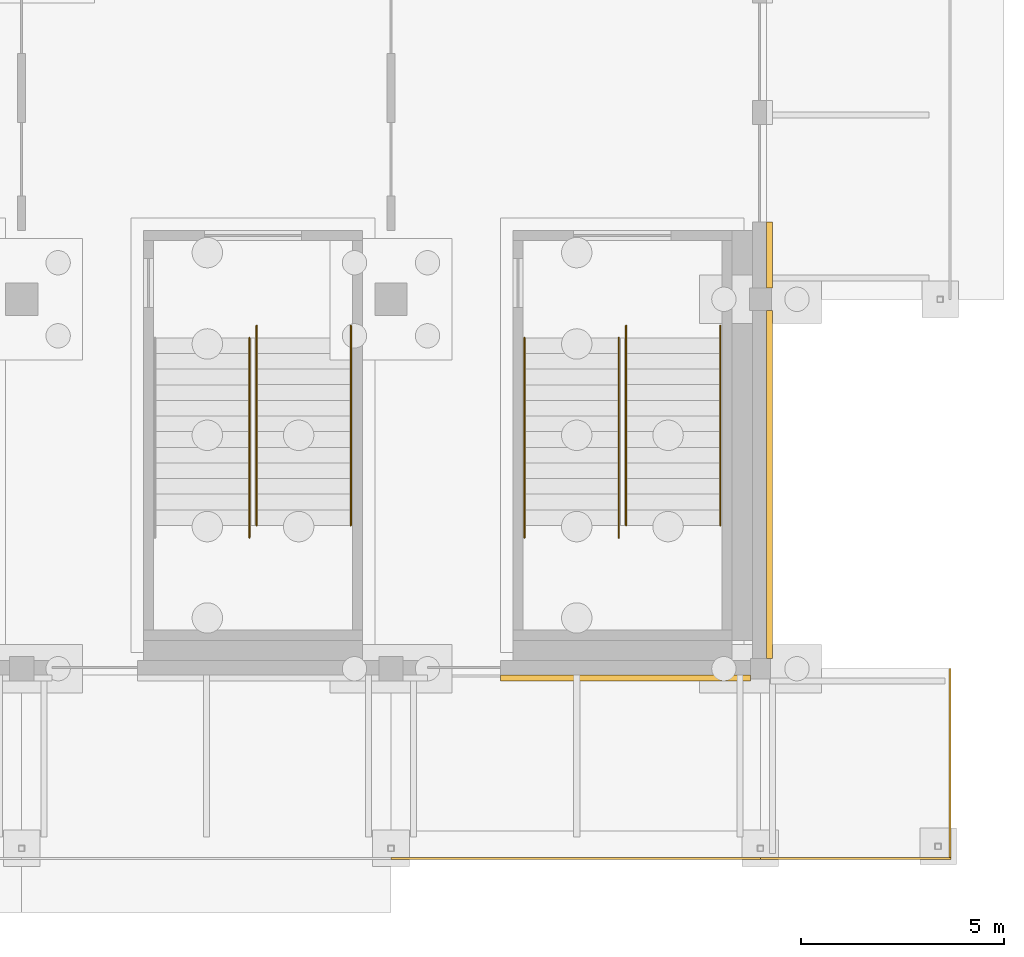
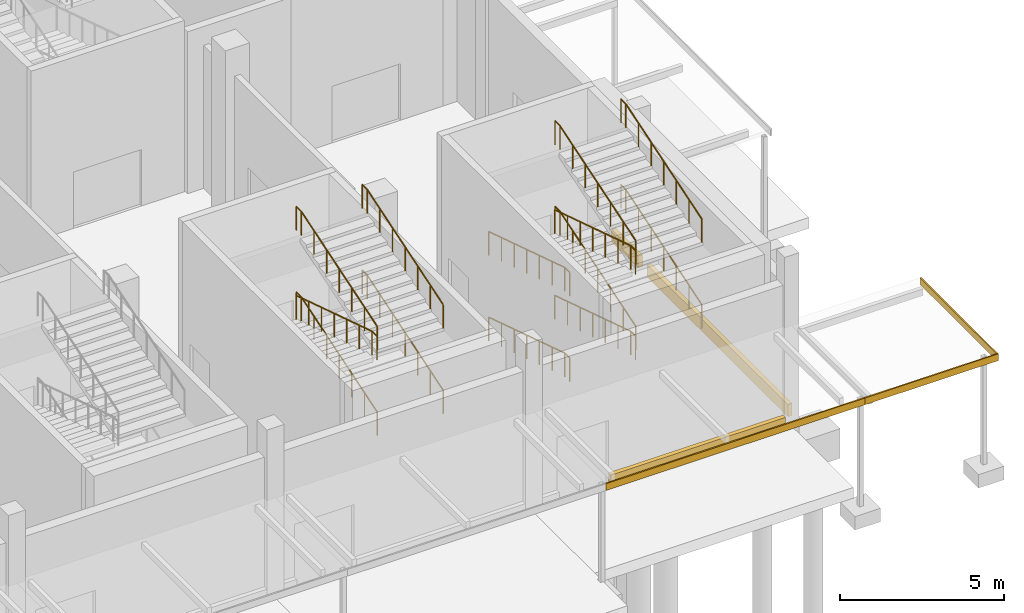
# One storey, part 117 of 129: 13 railings, 6 coverings.
"""IFC4 building model written with IfcOpenShell, lengths in metres."""

from ifc_helpers import new_model, si_unit, direction, frame, origin, origin_2d, place, context, subcontext, project, spatial, rectangle, circle, extrude, material, layer, layer_set, type_object, element, save


model = new_model("IFC4")

# Units and contexts
model_context = context("Model", 3, precision=1e-05, world=origin(), true_north=direction((0.0, 1.0)))
body_context = subcontext(model_context, "Body", "Model", "MODEL_VIEW")
ifc_project = project(units=[si_unit("LENGTHUNIT", "METRE"), si_unit("AREAUNIT", "SQUARE_METRE"), si_unit("VOLUMEUNIT", "CUBIC_METRE"), si_unit("PLANEANGLEUNIT", "RADIAN"), si_unit("MASSUNIT", "GRAM", prefix="KILO")], contexts=[model_context])

# Site, building, storey
site_placement = place(None, origin())
site = spatial("IfcSite", under=ifc_project, at=site_placement, CompositionType="ELEMENT")
building_placement = place(site_placement, origin())
building = spatial("IfcBuilding", under=site, at=building_placement, Name="Shirokan Park Arena", CompositionType="ELEMENT")
storey_placement = place(building_placement, origin())
storey = spatial("IfcBuildingStorey", under=building, at=storey_placement, Name="L00", CompositionType="ELEMENT", Elevation=0.0)

# Coverings
ifc_material_1 = material(Name="Timber fascia (cedar)", Category="wood")
ifc_layer_1 = layer(ifc_material_1, 0.050048828125)
ifc_layer_set_1 = layer_set([ifc_layer_1], Name="Timber fascia (cedar) 50 mm")
covering_type_1 = type_object("IfcCoveringType", Name="Canopy fascia 50x250", PredefinedType="CLADDING", material=ifc_layer_set_1)
covering_1_placement = place(storey_placement, frame((141.050048828125, -4.675048828125, 3.5), z_axis=(0.0, 0.0, 1.0), x_axis=(1.0, 0.0, 0.0)))
element("IfcCovering", 1, at=covering_1_placement, inside=storey, type_object=covering_type_1, Name="Canopy fascia south bay 16", PredefinedType="CLADDING", context=body_context, shape_type="SweptSolid", body=[
    extrude(rectangle(XDim=9.10009765625, YDim=0.050048828125, at=origin_2d()), origin(), (0.0, 0.0, 1.0), 0.25),
])
covering_2_placement = place(storey_placement, frame((147.949951171875, -4.675048828125, 3.5), z_axis=(0.0, 0.0, 1.0), x_axis=(1.0, 0.0, 0.0)))
element("IfcCovering", 2, at=covering_2_placement, inside=storey, type_object=covering_type_1, Name="Canopy fascia SE corner 1", PredefinedType="CLADDING", context=body_context, shape_type="SweptSolid", body=[
    extrude(rectangle(XDim=4.699951171875, YDim=0.050048828125, at=origin_2d()), origin(), (0.0, 0.0, 1.0), 0.25),
])
covering_3_placement = place(storey_placement, frame((150.27490234375, -2.324951171875, 3.5), z_axis=(0.0, 0.0, 1.0), x_axis=(1.0, 0.0, 0.0)))
element("IfcCovering", 3, at=covering_3_placement, inside=storey, type_object=covering_type_1, Name="Canopy fascia SE corner 2", PredefinedType="CLADDING", context=body_context, shape_type="SweptSolid", body=[
    extrude(rectangle(XDim=0.050048828125, YDim=4.64990234375, at=origin_2d()), origin(), (0.0, 0.0, 1.0), 0.25),
])

# Railings
ifc_material_2 = material(Name="Stainless steel", Category="steel")
railing_type = type_object("IfcRailingType", Name="Stair handrail 900", PredefinedType="HANDRAIL", material=ifc_material_2)
railing_1_placement = place(storey_placement, frame((139.7900390625, 8.14990234375, 0.12255859375)))
element("IfcRailing", 4, at=railing_1_placement, inside=storey, type_object=railing_type, Name="Handrail Exit Stair 2.A L00 to L01", PredefinedType="HANDRAIL", context=body_context, shape_type="SweptSolid", body=[
    extrude(circle(Radius=0.02392578125, at=origin_2d()), frame((0.0, 0.0, 0.8759765625), z_axis=(0.0, -0.952915858112, 0.303234838629), x_axis=(1.0, 0.0, 0.0)), (0.0, 0.0, 1.0), 1.615966796875),
    extrude(circle(Radius=0.02392578125, at=origin_2d()), frame((0.0, -1.539794921875, 1.36572265625), z_axis=(0.0, -0.952929747917, 0.303191186441), x_axis=(1.0, 0.0, 0.0)), (0.0, 0.0, 1.0), 1.6162109375),
    extrude(circle(Radius=0.02392578125, at=origin_2d()), frame((0.0, -3.079833984375, 1.85595703125), z_axis=(0.0, -0.952929747917, 0.303191186441), x_axis=(1.0, 0.0, 0.0)), (0.0, 0.0, 1.0), 1.6162109375),
    extrude(circle(Radius=0.02392578125, at=origin_2d()), frame((0.0, -4.619873046875, 2.345703125), z_axis=(0.0, -1.0, 0.0), x_axis=(1.0, 0.0, 0.0)), (0.0, 0.0, 1.0), 0.300048828125),
    extrude(circle(Radius=0.02099609375, at=origin_2d()), origin(), (0.0, 0.0, 1.0), 0.851806640625),
    extrude(circle(Radius=0.02099609375, at=origin_2d()), frame((0.0, -0.77001953125, 0.2451171875)), (0.0, 0.0, 1.0), 0.851806640625),
    extrude(circle(Radius=0.02099609375, at=origin_2d()), frame((0.0, -1.539794921875, 0.489990234375)), (0.0, 0.0, 1.0), 0.851806640625),
    extrude(circle(Radius=0.02099609375, at=origin_2d()), frame((0.0, -2.309814453125, 0.73486328125)), (0.0, 0.0, 1.0), 0.851806640625),
    extrude(circle(Radius=0.02099609375, at=origin_2d()), frame((0.0, -3.079833984375, 0.97998046875)), (0.0, 0.0, 1.0), 0.851806640625),
    extrude(circle(Radius=0.02099609375, at=origin_2d()), frame((0.0, -3.849853515625, 1.22509765625)), (0.0, 0.0, 1.0), 0.851806640625),
    extrude(circle(Radius=0.02099609375, at=origin_2d()), frame((0.0, -4.619873046875, 1.469970703125)), (0.0, 0.0, 1.0), 0.851806640625),
    extrude(circle(Radius=0.02099609375, at=origin_2d()), frame((0.0, -4.919921875, 1.469970703125)), (0.0, 0.0, 1.0), 0.851806640625),
])
railing_2_placement = place(storey_placement, frame((142.110107421875, 8.14990234375, 0.12255859375)))
element("IfcRailing", 5, at=railing_2_placement, inside=storey, type_object=railing_type, Name="Handrail Exit Stair 2.A L00 to L01", PredefinedType="HANDRAIL", context=body_context, shape_type="SweptSolid", body=[
    extrude(circle(Radius=0.02392578125, at=origin_2d()), frame((0.0, 0.0, 0.8759765625), z_axis=(0.0, -0.952915858112, 0.303234838629), x_axis=(1.0, 0.0, 0.0)), (0.0, 0.0, 1.0), 1.615966796875),
    extrude(circle(Radius=0.02392578125, at=origin_2d()), frame((0.0, -1.539794921875, 1.36572265625), z_axis=(0.0, -0.952929747917, 0.303191186441), x_axis=(1.0, 0.0, 0.0)), (0.0, 0.0, 1.0), 1.6162109375),
    extrude(circle(Radius=0.02392578125, at=origin_2d()), frame((0.0, -3.079833984375, 1.85595703125), z_axis=(0.0, -0.952929747917, 0.303191186441), x_axis=(1.0, 0.0, 0.0)), (0.0, 0.0, 1.0), 1.6162109375),
    extrude(circle(Radius=0.02392578125, at=origin_2d()), frame((0.0, -4.619873046875, 2.345703125), z_axis=(0.0, -1.0, 0.0), x_axis=(1.0, 0.0, 0.0)), (0.0, 0.0, 1.0), 0.300048828125),
    extrude(circle(Radius=0.02099609375, at=origin_2d()), origin(), (0.0, 0.0, 1.0), 0.851806640625),
    extrude(circle(Radius=0.02099609375, at=origin_2d()), frame((0.0, -0.77001953125, 0.2451171875)), (0.0, 0.0, 1.0), 0.851806640625),
    extrude(circle(Radius=0.02099609375, at=origin_2d()), frame((0.0, -1.539794921875, 0.489990234375)), (0.0, 0.0, 1.0), 0.851806640625),
    extrude(circle(Radius=0.02099609375, at=origin_2d()), frame((0.0, -2.309814453125, 0.73486328125)), (0.0, 0.0, 1.0), 0.851806640625),
    extrude(circle(Radius=0.02099609375, at=origin_2d()), frame((0.0, -3.079833984375, 0.97998046875)), (0.0, 0.0, 1.0), 0.851806640625),
    extrude(circle(Radius=0.02099609375, at=origin_2d()), frame((0.0, -3.849853515625, 1.22509765625)), (0.0, 0.0, 1.0), 0.851806640625),
    extrude(circle(Radius=0.02099609375, at=origin_2d()), frame((0.0, -4.619873046875, 1.469970703125)), (0.0, 0.0, 1.0), 0.851806640625),
    extrude(circle(Radius=0.02099609375, at=origin_2d()), frame((0.0, -4.919921875, 1.469970703125)), (0.0, 0.0, 1.0), 0.851806640625),
])
railing_3_placement = place(storey_placement, frame((142.2900390625, 3.530029296875, 1.715087890625)))
element("IfcRailing", 6, at=railing_3_placement, inside=storey, type_object=railing_type, Name="Handrail Exit Stair 2.A L00 to L01", PredefinedType="HANDRAIL", context=body_context, shape_type="SweptSolid", body=[
    extrude(circle(Radius=0.02392578125, at=origin_2d()), frame((0.0, 0.0, 0.8759765625), z_axis=(0.0, 0.952929747917, 0.303191186441), x_axis=(-1.0, 0.0, 0.0)), (0.0, 0.0, 1.0), 1.6162109375),
    extrude(circle(Radius=0.02392578125, at=origin_2d()), frame((0.0, 1.5400390625, 1.36572265625), z_axis=(0.0, 0.952929747917, 0.303191186441), x_axis=(-1.0, 0.0, 0.0)), (0.0, 0.0, 1.0), 1.6162109375),
    extrude(circle(Radius=0.02392578125, at=origin_2d()), frame((0.0, 3.080078125, 1.85595703125), z_axis=(0.0, 0.952915858112, 0.303234838629), x_axis=(-1.0, 0.0, 0.0)), (0.0, 0.0, 1.0), 1.615966796875),
    extrude(circle(Radius=0.02392578125, at=origin_2d()), frame((0.0, 4.619873046875, 2.345703125), z_axis=(0.0, 1.0, 0.0), x_axis=(-1.0, 0.0, 0.0)), (0.0, 0.0, 1.0), 0.300048828125),
    extrude(circle(Radius=0.02099609375, at=origin_2d()), origin(), (0.0, 0.0, 1.0), 0.851806640625),
    extrude(circle(Radius=0.02099609375, at=origin_2d()), frame((0.0, 0.77001953125, 0.2451171875)), (0.0, 0.0, 1.0), 0.851806640625),
    extrude(circle(Radius=0.02099609375, at=origin_2d()), frame((0.0, 1.5400390625, 0.489990234375)), (0.0, 0.0, 1.0), 0.851806640625),
    extrude(circle(Radius=0.02099609375, at=origin_2d()), frame((0.0, 2.31005859375, 0.73486328125)), (0.0, 0.0, 1.0), 0.851806640625),
    extrude(circle(Radius=0.02099609375, at=origin_2d()), frame((0.0, 3.080078125, 0.97998046875)), (0.0, 0.0, 1.0), 0.851806640625),
    extrude(circle(Radius=0.02099609375, at=origin_2d()), frame((0.0, 3.85009765625, 1.22509765625)), (0.0, 0.0, 1.0), 0.851806640625),
    extrude(circle(Radius=0.02099609375, at=origin_2d()), frame((0.0, 4.619873046875, 1.469970703125)), (0.0, 0.0, 1.0), 0.851806640625),
    extrude(circle(Radius=0.02099609375, at=origin_2d()), frame((0.0, 4.919921875, 1.469970703125)), (0.0, 0.0, 1.0), 0.851806640625),
])
railing_4_placement = place(storey_placement, frame((144.610107421875, 3.530029296875, 1.715087890625)))
element("IfcRailing", 7, at=railing_4_placement, inside=storey, type_object=railing_type, Name="Handrail Exit Stair 2.A L00 to L01", PredefinedType="HANDRAIL", context=body_context, shape_type="SweptSolid", body=[
    extrude(circle(Radius=0.02392578125, at=origin_2d()), frame((0.0, 0.0, 0.8759765625), z_axis=(0.0, 0.952929747917, 0.303191186441), x_axis=(-1.0, 0.0, 0.0)), (0.0, 0.0, 1.0), 1.6162109375),
    extrude(circle(Radius=0.02392578125, at=origin_2d()), frame((0.0, 1.5400390625, 1.36572265625), z_axis=(0.0, 0.952929747917, 0.303191186441), x_axis=(-1.0, 0.0, 0.0)), (0.0, 0.0, 1.0), 1.6162109375),
    extrude(circle(Radius=0.02392578125, at=origin_2d()), frame((0.0, 3.080078125, 1.85595703125), z_axis=(0.0, 0.952915858112, 0.303234838629), x_axis=(-1.0, 0.0, 0.0)), (0.0, 0.0, 1.0), 1.615966796875),
    extrude(circle(Radius=0.02392578125, at=origin_2d()), frame((0.0, 4.619873046875, 2.345703125), z_axis=(0.0, 1.0, 0.0), x_axis=(-1.0, 0.0, 0.0)), (0.0, 0.0, 1.0), 0.300048828125),
    extrude(circle(Radius=0.02099609375, at=origin_2d()), origin(), (0.0, 0.0, 1.0), 0.851806640625),
    extrude(circle(Radius=0.02099609375, at=origin_2d()), frame((0.0, 0.77001953125, 0.2451171875)), (0.0, 0.0, 1.0), 0.851806640625),
    extrude(circle(Radius=0.02099609375, at=origin_2d()), frame((0.0, 1.5400390625, 0.489990234375)), (0.0, 0.0, 1.0), 0.851806640625),
    extrude(circle(Radius=0.02099609375, at=origin_2d()), frame((0.0, 2.31005859375, 0.73486328125)), (0.0, 0.0, 1.0), 0.851806640625),
    extrude(circle(Radius=0.02099609375, at=origin_2d()), frame((0.0, 3.080078125, 0.97998046875)), (0.0, 0.0, 1.0), 0.851806640625),
    extrude(circle(Radius=0.02099609375, at=origin_2d()), frame((0.0, 3.85009765625, 1.22509765625)), (0.0, 0.0, 1.0), 0.851806640625),
    extrude(circle(Radius=0.02099609375, at=origin_2d()), frame((0.0, 4.619873046875, 1.469970703125)), (0.0, 0.0, 1.0), 0.851806640625),
    extrude(circle(Radius=0.02099609375, at=origin_2d()), frame((0.0, 4.919921875, 1.469970703125)), (0.0, 0.0, 1.0), 0.851806640625),
])
railing_5_placement = place(storey_placement, frame((139.7900390625, 8.14990234375, 3.3076171875)))
element("IfcRailing", 8, at=railing_5_placement, inside=storey, type_object=railing_type, Name="Handrail Exit Stair 2.A L00 to L01", PredefinedType="HANDRAIL", context=body_context, shape_type="SweptSolid", body=[
    extrude(circle(Radius=0.02392578125, at=origin_2d()), frame((0.0, 0.0, 0.8759765625), z_axis=(0.0, -0.952915858112, 0.303234838629), x_axis=(1.0, 0.0, 0.0)), (0.0, 0.0, 1.0), 1.615966796875),
    extrude(circle(Radius=0.02392578125, at=origin_2d()), frame((0.0, -1.539794921875, 1.36572265625), z_axis=(0.0, -0.952929747917, 0.303191186441), x_axis=(1.0, 0.0, 0.0)), (0.0, 0.0, 1.0), 1.6162109375),
    extrude(circle(Radius=0.02392578125, at=origin_2d()), frame((0.0, -3.079833984375, 1.85595703125), z_axis=(0.0, -0.952929747917, 0.303191186441), x_axis=(1.0, 0.0, 0.0)), (0.0, 0.0, 1.0), 1.6162109375),
    extrude(circle(Radius=0.02392578125, at=origin_2d()), frame((0.0, -4.619873046875, 2.345703125), z_axis=(0.0, -1.0, 0.0), x_axis=(1.0, 0.0, 0.0)), (0.0, 0.0, 1.0), 0.300048828125),
    extrude(circle(Radius=0.02099609375, at=origin_2d()), origin(), (0.0, 0.0, 1.0), 0.851806640625),
    extrude(circle(Radius=0.02099609375, at=origin_2d()), frame((0.0, -0.77001953125, 0.2451171875)), (0.0, 0.0, 1.0), 0.851806640625),
    extrude(circle(Radius=0.02099609375, at=origin_2d()), frame((0.0, -1.539794921875, 0.489990234375)), (0.0, 0.0, 1.0), 0.851806640625),
    extrude(circle(Radius=0.02099609375, at=origin_2d()), frame((0.0, -2.309814453125, 0.73486328125)), (0.0, 0.0, 1.0), 0.851806640625),
    extrude(circle(Radius=0.02099609375, at=origin_2d()), frame((0.0, -3.079833984375, 0.97998046875)), (0.0, 0.0, 1.0), 0.851806640625),
    extrude(circle(Radius=0.02099609375, at=origin_2d()), frame((0.0, -3.849853515625, 1.22509765625)), (0.0, 0.0, 1.0), 0.851806640625),
    extrude(circle(Radius=0.02099609375, at=origin_2d()), frame((0.0, -4.619873046875, 1.469970703125)), (0.0, 0.0, 1.0), 0.851806640625),
    extrude(circle(Radius=0.02099609375, at=origin_2d()), frame((0.0, -4.919921875, 1.469970703125)), (0.0, 0.0, 1.0), 0.851806640625),
])
railing_6_placement = place(storey_placement, frame((142.110107421875, 8.14990234375, 3.3076171875)))
element("IfcRailing", 9, at=railing_6_placement, inside=storey, type_object=railing_type, Name="Handrail Exit Stair 2.A L00 to L01", PredefinedType="HANDRAIL", context=body_context, shape_type="SweptSolid", body=[
    extrude(circle(Radius=0.02392578125, at=origin_2d()), frame((0.0, 0.0, 0.8759765625), z_axis=(0.0, -0.952915858112, 0.303234838629), x_axis=(1.0, 0.0, 0.0)), (0.0, 0.0, 1.0), 1.615966796875),
    extrude(circle(Radius=0.02392578125, at=origin_2d()), frame((0.0, -1.539794921875, 1.36572265625), z_axis=(0.0, -0.952929747917, 0.303191186441), x_axis=(1.0, 0.0, 0.0)), (0.0, 0.0, 1.0), 1.6162109375),
    extrude(circle(Radius=0.02392578125, at=origin_2d()), frame((0.0, -3.079833984375, 1.85595703125), z_axis=(0.0, -0.952929747917, 0.303191186441), x_axis=(1.0, 0.0, 0.0)), (0.0, 0.0, 1.0), 1.6162109375),
    extrude(circle(Radius=0.02392578125, at=origin_2d()), frame((0.0, -4.619873046875, 2.345703125), z_axis=(0.0, -1.0, 0.0), x_axis=(1.0, 0.0, 0.0)), (0.0, 0.0, 1.0), 0.300048828125),
    extrude(circle(Radius=0.02099609375, at=origin_2d()), origin(), (0.0, 0.0, 1.0), 0.851806640625),
    extrude(circle(Radius=0.02099609375, at=origin_2d()), frame((0.0, -0.77001953125, 0.2451171875)), (0.0, 0.0, 1.0), 0.851806640625),
    extrude(circle(Radius=0.02099609375, at=origin_2d()), frame((0.0, -1.539794921875, 0.489990234375)), (0.0, 0.0, 1.0), 0.851806640625),
    extrude(circle(Radius=0.02099609375, at=origin_2d()), frame((0.0, -2.309814453125, 0.73486328125)), (0.0, 0.0, 1.0), 0.851806640625),
    extrude(circle(Radius=0.02099609375, at=origin_2d()), frame((0.0, -3.079833984375, 0.97998046875)), (0.0, 0.0, 1.0), 0.851806640625),
    extrude(circle(Radius=0.02099609375, at=origin_2d()), frame((0.0, -3.849853515625, 1.22509765625)), (0.0, 0.0, 1.0), 0.851806640625),
    extrude(circle(Radius=0.02099609375, at=origin_2d()), frame((0.0, -4.619873046875, 1.469970703125)), (0.0, 0.0, 1.0), 0.851806640625),
    extrude(circle(Radius=0.02099609375, at=origin_2d()), frame((0.0, -4.919921875, 1.469970703125)), (0.0, 0.0, 1.0), 0.851806640625),
])
railing_7_placement = place(storey_placement, frame((142.2900390625, 3.530029296875, 4.89990234375)))
element("IfcRailing", 10, at=railing_7_placement, inside=storey, type_object=railing_type, Name="Handrail Exit Stair 2.A L00 to L01", PredefinedType="HANDRAIL", context=body_context, shape_type="SweptSolid", body=[
    extrude(circle(Radius=0.02392578125, at=origin_2d()), frame((0.0, 0.0, 0.8759765625), z_axis=(0.0, 0.952929747917, 0.303191186441), x_axis=(-1.0, 0.0, 0.0)), (0.0, 0.0, 1.0), 1.6162109375),
    extrude(circle(Radius=0.02392578125, at=origin_2d()), frame((0.0, 1.5400390625, 1.36572265625), z_axis=(0.0, 0.952929747917, 0.303191186441), x_axis=(-1.0, 0.0, 0.0)), (0.0, 0.0, 1.0), 1.6162109375),
    extrude(circle(Radius=0.02392578125, at=origin_2d()), frame((0.0, 3.080078125, 1.85595703125), z_axis=(0.0, 0.952872192083, 0.303372025004), x_axis=(-1.0, 0.0, 0.0)), (0.0, 0.0, 1.0), 1.615966796875),
    extrude(circle(Radius=0.02392578125, at=origin_2d()), frame((0.0, 4.619873046875, 2.34619140625), z_axis=(0.0, 1.0, 0.0), x_axis=(-1.0, 0.0, 0.0)), (0.0, 0.0, 1.0), 0.300048828125),
    extrude(circle(Radius=0.02099609375, at=origin_2d()), origin(), (0.0, 0.0, 1.0), 0.851806640625),
    extrude(circle(Radius=0.02099609375, at=origin_2d()), frame((0.0, 0.77001953125, 0.2451171875)), (0.0, 0.0, 1.0), 0.851806640625),
    extrude(circle(Radius=0.02099609375, at=origin_2d()), frame((0.0, 1.5400390625, 0.489990234375)), (0.0, 0.0, 1.0), 0.851806640625),
    extrude(circle(Radius=0.02099609375, at=origin_2d()), frame((0.0, 2.31005859375, 0.73486328125)), (0.0, 0.0, 1.0), 0.851806640625),
    extrude(circle(Radius=0.02099609375, at=origin_2d()), frame((0.0, 3.080078125, 0.97998046875)), (0.0, 0.0, 1.0), 0.851806640625),
    extrude(circle(Radius=0.02099609375, at=origin_2d()), frame((0.0, 3.85009765625, 1.22509765625)), (0.0, 0.0, 1.0), 0.851806640625),
    extrude(circle(Radius=0.02099609375, at=origin_2d()), frame((0.0, 4.619873046875, 1.47021484375)), (0.0, 0.0, 1.0), 0.851806640625),
    extrude(circle(Radius=0.02099609375, at=origin_2d()), frame((0.0, 4.919921875, 1.47021484375)), (0.0, 0.0, 1.0), 0.851806640625),
])
railing_8_placement = place(storey_placement, frame((144.610107421875, 3.530029296875, 4.89990234375)))
element("IfcRailing", 11, at=railing_8_placement, inside=storey, type_object=railing_type, Name="Handrail Exit Stair 2.A L00 to L01", PredefinedType="HANDRAIL", context=body_context, shape_type="SweptSolid", body=[
    extrude(circle(Radius=0.02392578125, at=origin_2d()), frame((0.0, 0.0, 0.8759765625), z_axis=(0.0, 0.952929747917, 0.303191186441), x_axis=(-1.0, 0.0, 0.0)), (0.0, 0.0, 1.0), 1.6162109375),
    extrude(circle(Radius=0.02392578125, at=origin_2d()), frame((0.0, 1.5400390625, 1.36572265625), z_axis=(0.0, 0.952929747917, 0.303191186441), x_axis=(-1.0, 0.0, 0.0)), (0.0, 0.0, 1.0), 1.6162109375),
    extrude(circle(Radius=0.02392578125, at=origin_2d()), frame((0.0, 3.080078125, 1.85595703125), z_axis=(0.0, 0.952872192083, 0.303372025004), x_axis=(-1.0, 0.0, 0.0)), (0.0, 0.0, 1.0), 1.615966796875),
    extrude(circle(Radius=0.02392578125, at=origin_2d()), frame((0.0, 4.619873046875, 2.34619140625), z_axis=(0.0, 1.0, 0.0), x_axis=(-1.0, 0.0, 0.0)), (0.0, 0.0, 1.0), 0.300048828125),
    extrude(circle(Radius=0.02099609375, at=origin_2d()), origin(), (0.0, 0.0, 1.0), 0.851806640625),
    extrude(circle(Radius=0.02099609375, at=origin_2d()), frame((0.0, 0.77001953125, 0.2451171875)), (0.0, 0.0, 1.0), 0.851806640625),
    extrude(circle(Radius=0.02099609375, at=origin_2d()), frame((0.0, 1.5400390625, 0.489990234375)), (0.0, 0.0, 1.0), 0.851806640625),
    extrude(circle(Radius=0.02099609375, at=origin_2d()), frame((0.0, 2.31005859375, 0.73486328125)), (0.0, 0.0, 1.0), 0.851806640625),
    extrude(circle(Radius=0.02099609375, at=origin_2d()), frame((0.0, 3.080078125, 0.97998046875)), (0.0, 0.0, 1.0), 0.851806640625),
    extrude(circle(Radius=0.02099609375, at=origin_2d()), frame((0.0, 3.85009765625, 1.22509765625)), (0.0, 0.0, 1.0), 0.851806640625),
    extrude(circle(Radius=0.02099609375, at=origin_2d()), frame((0.0, 4.619873046875, 1.47021484375)), (0.0, 0.0, 1.0), 0.851806640625),
    extrude(circle(Radius=0.02099609375, at=origin_2d()), frame((0.0, 4.919921875, 1.47021484375)), (0.0, 0.0, 1.0), 0.851806640625),
])
railing_9_placement = place(storey_placement, frame((133.18994140625, 3.530029296875, 1.715087890625)))
element("IfcRailing", 12, at=railing_9_placement, inside=storey, type_object=railing_type, Name="Handrail Exit Stair 2.B L00 to L01", PredefinedType="HANDRAIL", context=body_context, shape_type="SweptSolid", body=[
    extrude(circle(Radius=0.02392578125, at=origin_2d()), frame((0.0, 0.0, 0.8759765625), z_axis=(0.0, 0.952929747917, 0.303191186441), x_axis=(-1.0, 0.0, 0.0)), (0.0, 0.0, 1.0), 1.6162109375),
    extrude(circle(Radius=0.02392578125, at=origin_2d()), frame((0.0, 1.5400390625, 1.36572265625), z_axis=(0.0, 0.952929747917, 0.303191186441), x_axis=(-1.0, 0.0, 0.0)), (0.0, 0.0, 1.0), 1.6162109375),
    extrude(circle(Radius=0.02392578125, at=origin_2d()), frame((0.0, 3.080078125, 1.85595703125), z_axis=(0.0, 0.952915858112, 0.303234838629), x_axis=(-1.0, 0.0, 0.0)), (0.0, 0.0, 1.0), 1.615966796875),
    extrude(circle(Radius=0.02392578125, at=origin_2d()), frame((0.0, 4.619873046875, 2.345703125), z_axis=(0.0, 1.0, 0.0), x_axis=(-1.0, 0.0, 0.0)), (0.0, 0.0, 1.0), 0.300048828125),
    extrude(circle(Radius=0.02099609375, at=origin_2d()), origin(), (0.0, 0.0, 1.0), 0.851806640625),
    extrude(circle(Radius=0.02099609375, at=origin_2d()), frame((0.0, 0.77001953125, 0.2451171875)), (0.0, 0.0, 1.0), 0.851806640625),
    extrude(circle(Radius=0.02099609375, at=origin_2d()), frame((0.0, 1.5400390625, 0.489990234375)), (0.0, 0.0, 1.0), 0.851806640625),
    extrude(circle(Radius=0.02099609375, at=origin_2d()), frame((0.0, 2.31005859375, 0.73486328125)), (0.0, 0.0, 1.0), 0.851806640625),
    extrude(circle(Radius=0.02099609375, at=origin_2d()), frame((0.0, 3.080078125, 0.97998046875)), (0.0, 0.0, 1.0), 0.851806640625),
    extrude(circle(Radius=0.02099609375, at=origin_2d()), frame((0.0, 3.85009765625, 1.22509765625)), (0.0, 0.0, 1.0), 0.851806640625),
    extrude(circle(Radius=0.02099609375, at=origin_2d()), frame((0.0, 4.619873046875, 1.469970703125)), (0.0, 0.0, 1.0), 0.851806640625),
    extrude(circle(Radius=0.02099609375, at=origin_2d()), frame((0.0, 4.919921875, 1.469970703125)), (0.0, 0.0, 1.0), 0.851806640625),
])
railing_10_placement = place(storey_placement, frame((135.510009765625, 3.530029296875, 1.715087890625)))
element("IfcRailing", 13, at=railing_10_placement, inside=storey, type_object=railing_type, Name="Handrail Exit Stair 2.B L00 to L01", PredefinedType="HANDRAIL", context=body_context, shape_type="SweptSolid", body=[
    extrude(circle(Radius=0.02392578125, at=origin_2d()), frame((0.0, 0.0, 0.8759765625), z_axis=(0.0, 0.952929747917, 0.303191186441), x_axis=(-1.0, 0.0, 0.0)), (0.0, 0.0, 1.0), 1.6162109375),
    extrude(circle(Radius=0.02392578125, at=origin_2d()), frame((0.0, 1.5400390625, 1.36572265625), z_axis=(0.0, 0.952929747917, 0.303191186441), x_axis=(-1.0, 0.0, 0.0)), (0.0, 0.0, 1.0), 1.6162109375),
    extrude(circle(Radius=0.02392578125, at=origin_2d()), frame((0.0, 3.080078125, 1.85595703125), z_axis=(0.0, 0.952915858112, 0.303234838629), x_axis=(-1.0, 0.0, 0.0)), (0.0, 0.0, 1.0), 1.615966796875),
    extrude(circle(Radius=0.02392578125, at=origin_2d()), frame((0.0, 4.619873046875, 2.345703125), z_axis=(0.0, 1.0, 0.0), x_axis=(-1.0, 0.0, 0.0)), (0.0, 0.0, 1.0), 0.300048828125),
    extrude(circle(Radius=0.02099609375, at=origin_2d()), origin(), (0.0, 0.0, 1.0), 0.851806640625),
    extrude(circle(Radius=0.02099609375, at=origin_2d()), frame((0.0, 0.77001953125, 0.2451171875)), (0.0, 0.0, 1.0), 0.851806640625),
    extrude(circle(Radius=0.02099609375, at=origin_2d()), frame((0.0, 1.5400390625, 0.489990234375)), (0.0, 0.0, 1.0), 0.851806640625),
    extrude(circle(Radius=0.02099609375, at=origin_2d()), frame((0.0, 2.31005859375, 0.73486328125)), (0.0, 0.0, 1.0), 0.851806640625),
    extrude(circle(Radius=0.02099609375, at=origin_2d()), frame((0.0, 3.080078125, 0.97998046875)), (0.0, 0.0, 1.0), 0.851806640625),
    extrude(circle(Radius=0.02099609375, at=origin_2d()), frame((0.0, 3.85009765625, 1.22509765625)), (0.0, 0.0, 1.0), 0.851806640625),
    extrude(circle(Radius=0.02099609375, at=origin_2d()), frame((0.0, 4.619873046875, 1.469970703125)), (0.0, 0.0, 1.0), 0.851806640625),
    extrude(circle(Radius=0.02099609375, at=origin_2d()), frame((0.0, 4.919921875, 1.469970703125)), (0.0, 0.0, 1.0), 0.851806640625),
])
railing_11_placement = place(storey_placement, frame((133.010009765625, 8.14990234375, 3.3076171875)))
element("IfcRailing", 14, at=railing_11_placement, inside=storey, type_object=railing_type, Name="Handrail Exit Stair 2.B L00 to L01", PredefinedType="HANDRAIL", context=body_context, shape_type="SweptSolid", body=[
    extrude(circle(Radius=0.02392578125, at=origin_2d()), frame((0.0, 0.0, 0.8759765625), z_axis=(0.0, -0.952915858112, 0.303234838629), x_axis=(1.0, 0.0, 0.0)), (0.0, 0.0, 1.0), 1.615966796875),
    extrude(circle(Radius=0.02392578125, at=origin_2d()), frame((0.0, -1.539794921875, 1.36572265625), z_axis=(0.0, -0.952929747917, 0.303191186441), x_axis=(1.0, 0.0, 0.0)), (0.0, 0.0, 1.0), 1.6162109375),
    extrude(circle(Radius=0.02392578125, at=origin_2d()), frame((0.0, -3.079833984375, 1.85595703125), z_axis=(0.0, -0.952929747917, 0.303191186441), x_axis=(1.0, 0.0, 0.0)), (0.0, 0.0, 1.0), 1.6162109375),
    extrude(circle(Radius=0.02392578125, at=origin_2d()), frame((0.0, -4.619873046875, 2.345703125), z_axis=(0.0, -1.0, 0.0), x_axis=(1.0, 0.0, 0.0)), (0.0, 0.0, 1.0), 0.300048828125),
    extrude(circle(Radius=0.02099609375, at=origin_2d()), origin(), (0.0, 0.0, 1.0), 0.851806640625),
    extrude(circle(Radius=0.02099609375, at=origin_2d()), frame((0.0, -0.77001953125, 0.2451171875)), (0.0, 0.0, 1.0), 0.851806640625),
    extrude(circle(Radius=0.02099609375, at=origin_2d()), frame((0.0, -1.539794921875, 0.489990234375)), (0.0, 0.0, 1.0), 0.851806640625),
    extrude(circle(Radius=0.02099609375, at=origin_2d()), frame((0.0, -2.309814453125, 0.73486328125)), (0.0, 0.0, 1.0), 0.851806640625),
    extrude(circle(Radius=0.02099609375, at=origin_2d()), frame((0.0, -3.079833984375, 0.97998046875)), (0.0, 0.0, 1.0), 0.851806640625),
    extrude(circle(Radius=0.02099609375, at=origin_2d()), frame((0.0, -3.849853515625, 1.22509765625)), (0.0, 0.0, 1.0), 0.851806640625),
    extrude(circle(Radius=0.02099609375, at=origin_2d()), frame((0.0, -4.619873046875, 1.469970703125)), (0.0, 0.0, 1.0), 0.851806640625),
    extrude(circle(Radius=0.02099609375, at=origin_2d()), frame((0.0, -4.919921875, 1.469970703125)), (0.0, 0.0, 1.0), 0.851806640625),
])
railing_12_placement = place(storey_placement, frame((133.18994140625, 3.530029296875, 4.89990234375)))
element("IfcRailing", 15, at=railing_12_placement, inside=storey, type_object=railing_type, Name="Handrail Exit Stair 2.B L00 to L01", PredefinedType="HANDRAIL", context=body_context, shape_type="SweptSolid", body=[
    extrude(circle(Radius=0.02392578125, at=origin_2d()), frame((0.0, 0.0, 0.8759765625), z_axis=(0.0, 0.952929747917, 0.303191186441), x_axis=(-1.0, 0.0, 0.0)), (0.0, 0.0, 1.0), 1.6162109375),
    extrude(circle(Radius=0.02392578125, at=origin_2d()), frame((0.0, 1.5400390625, 1.36572265625), z_axis=(0.0, 0.952929747917, 0.303191186441), x_axis=(-1.0, 0.0, 0.0)), (0.0, 0.0, 1.0), 1.6162109375),
    extrude(circle(Radius=0.02392578125, at=origin_2d()), frame((0.0, 3.080078125, 1.85595703125), z_axis=(0.0, 0.952872192083, 0.303372025004), x_axis=(-1.0, 0.0, 0.0)), (0.0, 0.0, 1.0), 1.615966796875),
    extrude(circle(Radius=0.02392578125, at=origin_2d()), frame((0.0, 4.619873046875, 2.34619140625), z_axis=(0.0, 1.0, 0.0), x_axis=(-1.0, 0.0, 0.0)), (0.0, 0.0, 1.0), 0.300048828125),
    extrude(circle(Radius=0.02099609375, at=origin_2d()), origin(), (0.0, 0.0, 1.0), 0.851806640625),
    extrude(circle(Radius=0.02099609375, at=origin_2d()), frame((0.0, 0.77001953125, 0.2451171875)), (0.0, 0.0, 1.0), 0.851806640625),
    extrude(circle(Radius=0.02099609375, at=origin_2d()), frame((0.0, 1.5400390625, 0.489990234375)), (0.0, 0.0, 1.0), 0.851806640625),
    extrude(circle(Radius=0.02099609375, at=origin_2d()), frame((0.0, 2.31005859375, 0.73486328125)), (0.0, 0.0, 1.0), 0.851806640625),
    extrude(circle(Radius=0.02099609375, at=origin_2d()), frame((0.0, 3.080078125, 0.97998046875)), (0.0, 0.0, 1.0), 0.851806640625),
    extrude(circle(Radius=0.02099609375, at=origin_2d()), frame((0.0, 3.85009765625, 1.22509765625)), (0.0, 0.0, 1.0), 0.851806640625),
    extrude(circle(Radius=0.02099609375, at=origin_2d()), frame((0.0, 4.619873046875, 1.47021484375)), (0.0, 0.0, 1.0), 0.851806640625),
    extrude(circle(Radius=0.02099609375, at=origin_2d()), frame((0.0, 4.919921875, 1.47021484375)), (0.0, 0.0, 1.0), 0.851806640625),
])
railing_13_placement = place(storey_placement, frame((135.510009765625, 3.530029296875, 4.89990234375)))
element("IfcRailing", 16, at=railing_13_placement, inside=storey, type_object=railing_type, Name="Handrail Exit Stair 2.B L00 to L01", PredefinedType="HANDRAIL", context=body_context, shape_type="SweptSolid", body=[
    extrude(circle(Radius=0.02392578125, at=origin_2d()), frame((0.0, 0.0, 0.8759765625), z_axis=(0.0, 0.952929747917, 0.303191186441), x_axis=(-1.0, 0.0, 0.0)), (0.0, 0.0, 1.0), 1.6162109375),
    extrude(circle(Radius=0.02392578125, at=origin_2d()), frame((0.0, 1.5400390625, 1.36572265625), z_axis=(0.0, 0.952929747917, 0.303191186441), x_axis=(-1.0, 0.0, 0.0)), (0.0, 0.0, 1.0), 1.6162109375),
    extrude(circle(Radius=0.02392578125, at=origin_2d()), frame((0.0, 3.080078125, 1.85595703125), z_axis=(0.0, 0.952872192083, 0.303372025004), x_axis=(-1.0, 0.0, 0.0)), (0.0, 0.0, 1.0), 1.615966796875),
    extrude(circle(Radius=0.02392578125, at=origin_2d()), frame((0.0, 4.619873046875, 2.34619140625), z_axis=(0.0, 1.0, 0.0), x_axis=(-1.0, 0.0, 0.0)), (0.0, 0.0, 1.0), 0.300048828125),
    extrude(circle(Radius=0.02099609375, at=origin_2d()), origin(), (0.0, 0.0, 1.0), 0.851806640625),
    extrude(circle(Radius=0.02099609375, at=origin_2d()), frame((0.0, 0.77001953125, 0.2451171875)), (0.0, 0.0, 1.0), 0.851806640625),
    extrude(circle(Radius=0.02099609375, at=origin_2d()), frame((0.0, 1.5400390625, 0.489990234375)), (0.0, 0.0, 1.0), 0.851806640625),
    extrude(circle(Radius=0.02099609375, at=origin_2d()), frame((0.0, 2.31005859375, 0.73486328125)), (0.0, 0.0, 1.0), 0.851806640625),
    extrude(circle(Radius=0.02099609375, at=origin_2d()), frame((0.0, 3.080078125, 0.97998046875)), (0.0, 0.0, 1.0), 0.851806640625),
    extrude(circle(Radius=0.02099609375, at=origin_2d()), frame((0.0, 3.85009765625, 1.22509765625)), (0.0, 0.0, 1.0), 0.851806640625),
    extrude(circle(Radius=0.02099609375, at=origin_2d()), frame((0.0, 4.619873046875, 1.47021484375)), (0.0, 0.0, 1.0), 0.851806640625),
    extrude(circle(Radius=0.02099609375, at=origin_2d()), frame((0.0, 4.919921875, 1.47021484375)), (0.0, 0.0, 1.0), 0.851806640625),
])

# Coverings
ifc_material_3 = material(Name="Natural stone", Category="masonry")
ifc_layer_2 = layer(ifc_material_3, 0.14990234375)
ifc_layer_set_2 = layer_set([ifc_layer_2], Name="Natural stone 150 mm")
covering_type_2 = type_object("IfcCoveringType", Name="Stone plinth 150x450", PredefinedType="CLADDING", material=ifc_layer_set_2)
covering_4_placement = place(storey_placement, frame((145.824951171875, 4.53759765625, 0.0), z_axis=(0.0, 0.0, 1.0), x_axis=(0.0, 1.0, 0.0)))
element("IfcCovering", 17, at=covering_4_placement, inside=storey, type_object=covering_type_2, Name="Stone plinth east bay 1", PredefinedType="CLADDING", context=body_context, shape_type="SweptSolid", body=[
    extrude(rectangle(XDim=8.574951171875, YDim=0.14990234375, at=origin_2d()), origin(), (0.0, 0.0, 1.0), 0.449951171875),
])
covering_5_placement = place(storey_placement, frame((145.824951171875, 10.1875, 0.0), z_axis=(0.0, 0.0, 1.0), x_axis=(0.0, 1.0, 0.0)))
element("IfcCovering", 18, at=covering_5_placement, inside=storey, type_object=covering_type_2, Name="Stone plinth east bay 2", PredefinedType="CLADDING", context=body_context, shape_type="SweptSolid", body=[
    extrude(rectangle(XDim=1.625, YDim=0.14990234375, at=origin_2d()), origin(), (0.0, 0.0, 1.0), 0.449951171875),
])
covering_6_placement = place(storey_placement, frame((142.27490234375, -0.22509765625, 0.0), z_axis=(0.0, 0.0, 1.0), x_axis=(1.0, 0.0, 0.0)))
element("IfcCovering", 19, at=covering_6_placement, inside=storey, type_object=covering_type_2, Name="Stone plinth south bay 16", PredefinedType="CLADDING", context=body_context, shape_type="SweptSolid", body=[
    extrude(rectangle(XDim=6.14990234375, YDim=0.14990234375, at=origin_2d()), origin(), (0.0, 0.0, 1.0), 0.449951171875),
])

save(model, "model.ifc")
